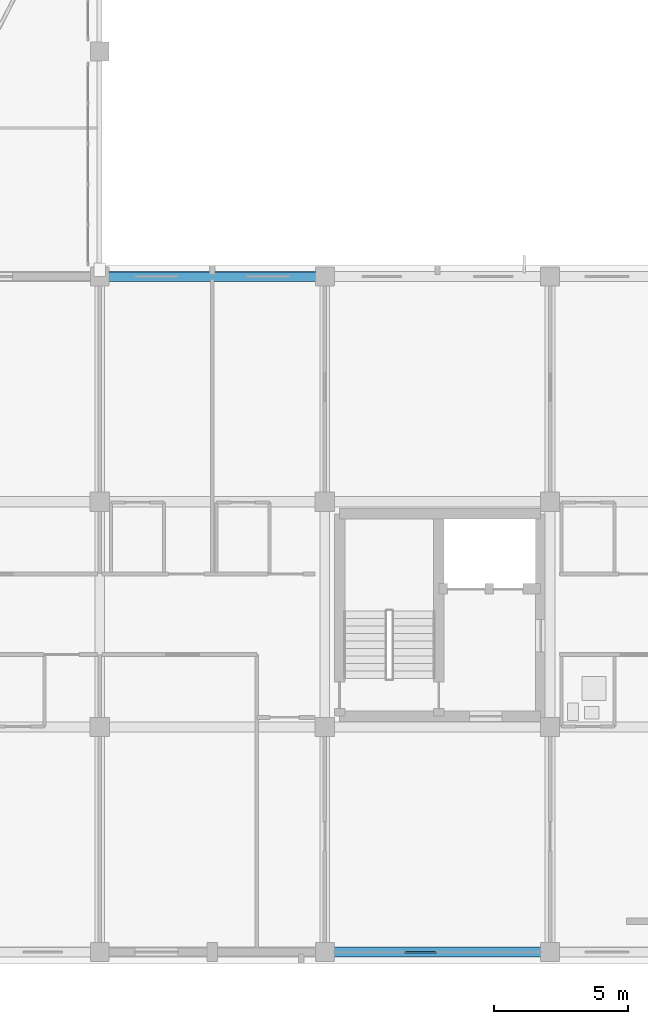
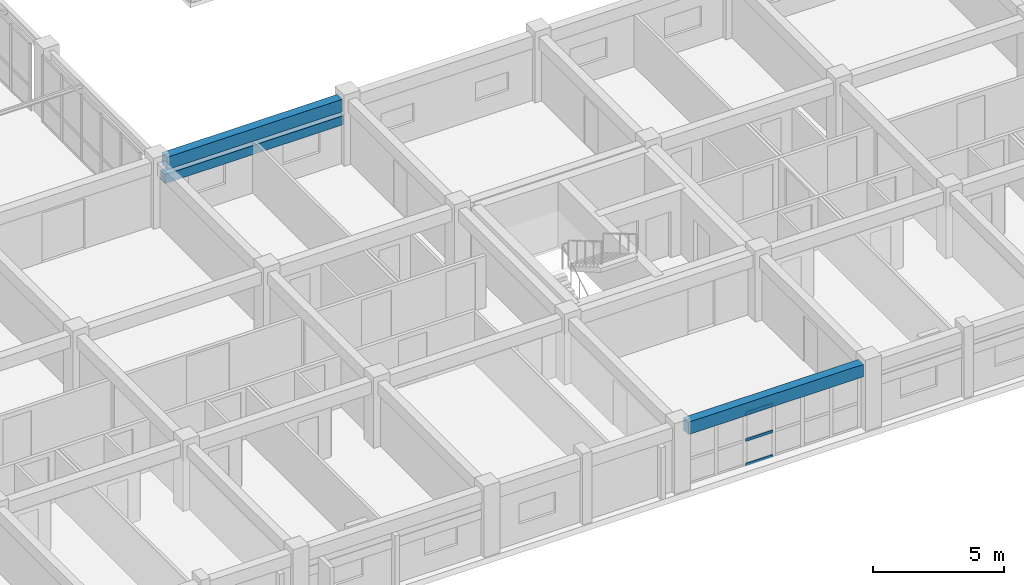
# One storey, part 29 of 148: 3 beams, 3 members, 1 element without a shape of its own.
"""IFC4 building model written with IfcOpenShell, lengths in metres."""

from ifc_helpers import new_model, si_unit, direction, frame, origin, origin_2d, place, context, subcontext, project, spatial, rectangle, hollow_rectangle, extrude, material, layer, layer_set, material_profile, profile_set, type_object, element, aggregate, save


model = new_model("IFC4")

# Units and contexts
model_context = context("Model", 3, precision=1e-05, world=origin(), true_north=direction((0.0, 1.0)))
body_context = subcontext(model_context, "Body", "Model", "MODEL_VIEW")
ifc_project = project(units=[si_unit("LENGTHUNIT", "METRE"), si_unit("AREAUNIT", "SQUARE_METRE"), si_unit("VOLUMEUNIT", "CUBIC_METRE"), si_unit("PLANEANGLEUNIT", "RADIAN"), si_unit("MASSUNIT", "GRAM", prefix="KILO")], contexts=[model_context])

# Site, building, storey
site_placement = place(None, origin())
site = spatial("IfcSite", under=ifc_project, at=site_placement, CompositionType="ELEMENT")
building_placement = place(site_placement, origin())
building = spatial("IfcBuilding", under=site, at=building_placement, Name="Trelvath General Hospital", CompositionType="ELEMENT")
storey_placement = place(building_placement, frame((0.0, 0.0, 12.89990234375)))
storey = spatial("IfcBuildingStorey", under=building, at=storey_placement, Name="L03", CompositionType="ELEMENT", Elevation=12.89990234375)

# Beams
ifc_material_1 = material(Name="Concrete C35/45", Category="concrete")
ifc_material_profile_1 = material_profile(ifc_material_1, rectangle(XDim=0.3798828125, YDim=0.580078125, at=origin_2d()), Name="RCB380x580")
ifc_profile_set_1 = profile_set([ifc_material_profile_1], Name="Concrete C35/45")
beam_type_1 = type_object("IfcBeamType", Name="Beam RC380x580", PredefinedType="BEAM", material=ifc_profile_set_1)
for number, where, z_axis, x_axis, name in (
    (1, (84.344970703125, 25.199951171875, 2.72998046875), (1.0, 0.0, 0.0), (0.0, 1.0, 0.0), "Grid Beam BX-310D"),
    (2, (92.7451171875, 0.0, 2.72998046875), (1.0, 0.0, 0.0), (0.0, 1.0, 0.0), "Grid Beam BX-311A"),
):
    element("IfcBeam", number, at=place(storey_placement, frame(where, z_axis=z_axis, x_axis=x_axis)), inside=storey, type_object=beam_type_1, Name=name, PredefinedType="BEAM", context=body_context, shape_type="SweptSolid", body=[
        extrude(rectangle(XDim=0.3798828125, YDim=0.580078125, at=origin_2d()), origin(), (0.0, 0.0, 1.0), 7.7099609375),
    ])

# Curtain wall, members
ifc_material_2 = material(Name="Anodised aluminium and low-E glass", Category="aluminium")
ifc_layer = layer(ifc_material_2, 0.159912109375)
ifc_layer_set = layer_set([ifc_layer], Name="Anodised aluminium and low-E glass")
curtain_wall_type = type_object("IfcCurtainWallType", Name="CW Facade 759 244 16", PredefinedType="USERDEFINED", material=ifc_layer_set)
curtain_wall_placement = place(storey_placement, origin())
curtain_wall = element("IfcCurtainWall", 3, at=curtain_wall_placement, inside=storey, type_object=curtain_wall_type, Name="Facade Curtain Wall CW-060", ObjectType="Unitised Glazed Curtain Wall", PredefinedType="USERDEFINED")
ifc_material_3 = material(Name="Anodised aluminium", Category="aluminium")
ifc_material_profile_2 = material_profile(ifc_material_3, hollow_rectangle(XDim=0.06005859375, YDim=0.125, WallThickness=0.00390625, at=origin_2d()), Name="RHS60x125x4")
ifc_profile_set_2 = profile_set([ifc_material_profile_2], Name="Anodised aluminium")
member_type = type_object("IfcMemberType", Name="CurtainTransom 60x125", PredefinedType="USERDEFINED", material=ifc_profile_set_2)
member_1_placement = place(storey_placement, frame((96.570068359375, 0.0, 0.030029296875), z_axis=(-1.0, 0.0, 0.0), x_axis=(0.0, -1.0, 0.0)))
member_1 = element("IfcMember", 4, at=member_1_placement, type_object=member_type, Name="CW-060 transom 4.1", ObjectType="TRANSOM", PredefinedType="USERDEFINED", context=body_context, shape_type="SweptSolid", body=[
    extrude(hollow_rectangle(XDim=0.06005859375, YDim=0.125, WallThickness=0.00390625, at=origin_2d()), origin(), (0.0, 0.0, 1.0), 1.205078125),
])
member_2_placement = place(storey_placement, frame((96.570068359375, 0.0, 1.171142578125), z_axis=(-1.0, 0.0, 0.0), x_axis=(0.0, -1.0, 0.0)))
member_2 = element("IfcMember", 5, at=member_2_placement, type_object=member_type, Name="CW-060 transom 4.2", ObjectType="TRANSOM", PredefinedType="USERDEFINED", context=body_context, shape_type="SweptSolid", body=[
    extrude(hollow_rectangle(XDim=0.06005859375, YDim=0.125, WallThickness=0.00390625, at=origin_2d()), origin(), (0.0, 0.0, 1.0), 1.205078125),
])
member_3_placement = place(storey_placement, frame((96.570068359375, 0.0, 2.41015625), z_axis=(-1.0, 0.0, 0.0), x_axis=(0.0, -1.0, 0.0)))
member_3 = element("IfcMember", 6, at=member_3_placement, type_object=member_type, Name="CW-060 transom 4.3", ObjectType="TRANSOM", PredefinedType="USERDEFINED", context=body_context, shape_type="SweptSolid", body=[
    extrude(hollow_rectangle(XDim=0.06005859375, YDim=0.125, WallThickness=0.00390625, at=origin_2d()), origin(), (0.0, 0.0, 1.0), 1.205078125),
])
aggregate(curtain_wall, [member_1, member_2, member_3])

# Beam
ifc_material_4 = material(Name="Precast concrete C40/50", Category="concrete")
ifc_material_profile_3 = material_profile(ifc_material_4, rectangle(XDim=0.35009765625, YDim=0.419921875, at=origin_2d()), Name="PCL350x420")
ifc_profile_set_3 = profile_set([ifc_material_profile_3], Name="Precast concrete C40/50")
beam_type_2 = type_object("IfcBeamType", Name="Lintel PC350x420", PredefinedType="LINTEL", material=ifc_profile_set_3)
beam_placement = place(storey_placement, frame((84.264892578125, 25.199951171875, 2.02001953125), z_axis=(1.0, 0.0, 0.0), x_axis=(0.0, 1.0, 0.0)))
element("IfcBeam", 7, at=beam_placement, inside=storey, type_object=beam_type_2, Name="Precast Window Brow Lintel L03-390", PredefinedType="LINTEL", context=body_context, shape_type="SweptSolid", body=[
    extrude(rectangle(XDim=0.35009765625, YDim=0.419921875, at=origin_2d()), origin(), (0.0, 0.0, 1.0), 7.8701171875),
])

save(model, "model.ifc")
